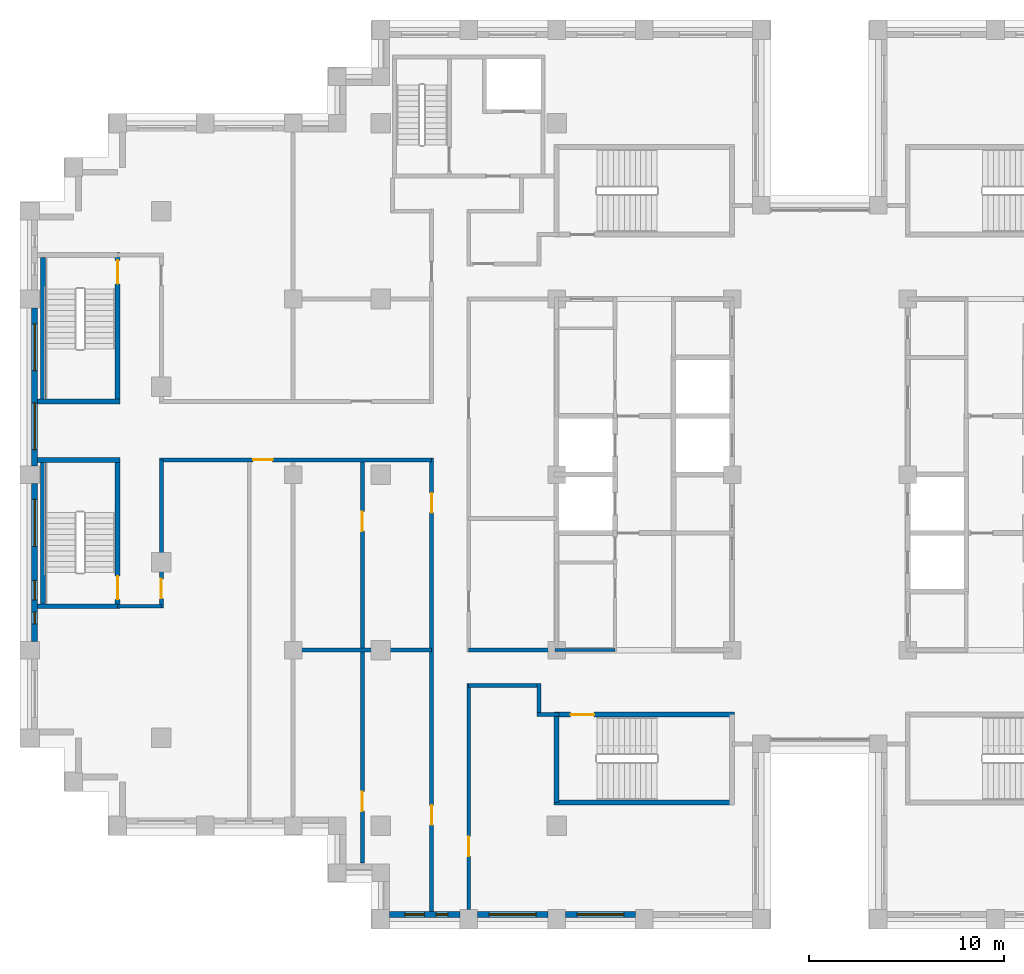
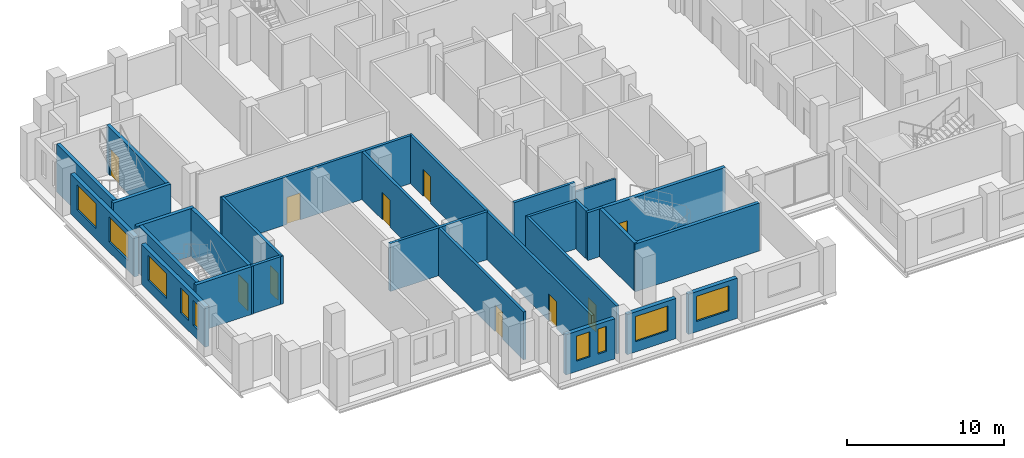
# One storey, part 6 of 15: 27 walls, 10 doors, 9 windows, 19 openings.
"""IFC4 building model written with IfcOpenShell, lengths in metres."""

import ifcopenshell
import ifcopenshell.guid

model = None  # the IFC model being written
_history = None  # IfcOwnerHistory: only IFC2X3 demands one
_inside = {}  # id of a spatial element -> (the spatial element, [elements in it])
_under = {}  # id of a project, library or spatial element -> (it, [spatial elements below it])
_declared = {}  # id of a project -> (the project, [libraries it declares])
_typed = {}  # id of a type object -> (the type object, [elements of that type])
_made_of = {}  # id of a material, layer set ... -> (it, [elements and type objects made of it])


def new_model(schema):
    """Start an empty IFC model of exactly this schema.

    Asked for "IFC4X3", IfcOpenShell would pick the latest addendum, in which some entities
    have other attributes; the version numbers below select the first issue.
    IFC2X3 requires an IfcOwnerHistory on every rooted entity: one is made here for all.
    """
    global model, _history
    if schema == "IFC4X3":
        model = ifcopenshell.file(schema_version=(4, 3, 0, 0))
    else:
        model = ifcopenshell.file(schema=schema)
    _inside.clear()
    _under.clear()
    _declared.clear()
    _typed.clear()
    _made_of.clear()
    _history = None
    if model.schema == "IFC2X3":
        org = make("IfcOrganization", Name="unknown")
        user = make(
            "IfcPersonAndOrganization",
            ThePerson=make("IfcPerson", FamilyName="unknown"),
            TheOrganization=org,
        )
        app = make(
            "IfcApplication",
            ApplicationDeveloper=org,
            Version="unknown",
            ApplicationFullName="unknown",
            ApplicationIdentifier="unknown",
        )
        _history = make(
            "IfcOwnerHistory",
            OwningUser=user,
            OwningApplication=app,
            ChangeAction="ADDED",
            CreationDate=0,
        )
    return model


def make(cls, **values):
    """One entity of the class cls with the attributes given. An attribute that is None is left unset."""
    return model.create_entity(
        cls, **{name: value for name, value in values.items() if value is not None}
    )


def rooted(cls, **values):
    """An entity with a GlobalId (a new one), such as an element, a storey or a relation."""
    return make(cls, GlobalId=ifcopenshell.guid.new(), OwnerHistory=_history, **values)


def si_unit(unit_type, name, prefix=None):
    """IfcSIUnit, for example si_unit("LENGTHUNIT", "METRE", prefix="MILLI")."""
    return make("IfcSIUnit", UnitType=unit_type, Prefix=prefix, Name=name)


def assignment(units):
    """IfcUnitAssignment: the units of a project."""
    return None if units is None else make("IfcUnitAssignment", Units=units)


def point(xyz):
    """IfcCartesianPoint."""
    return None if xyz is None else make("IfcCartesianPoint", Coordinates=xyz)


def direction(xyz):
    """IfcDirection."""
    return None if xyz is None else make("IfcDirection", DirectionRatios=xyz)


def frame(location, z_axis=None, x_axis=None):
    """IfcAxis2Placement3D, a coordinate frame: its origin and axes. An axis left out is left unset."""
    return make(
        "IfcAxis2Placement3D",
        Location=point(location),
        Axis=direction(z_axis),
        RefDirection=direction(x_axis),
    )


def frame_2d(location, x_axis=None):
    """IfcAxis2Placement2D, a coordinate frame in the plane: its origin and x axis."""
    return make(
        "IfcAxis2Placement2D", Location=point(location), RefDirection=direction(x_axis)
    )


def origin():
    """The frame at (0, 0, 0) with its axes left unset."""
    return frame((0.0, 0.0, 0.0))


def place(relative_to, where):
    """IfcLocalPlacement: puts the frame where relative to a parent placement (None: the world)."""
    return make(
        "IfcLocalPlacement", PlacementRelTo=relative_to, RelativePlacement=where
    )


def context(
    kind, dimensions, precision=None, world=None, true_north=None, identifier=None
):
    """IfcGeometricRepresentationContext, for example the 3D "Model" context."""
    return make(
        "IfcGeometricRepresentationContext",
        ContextIdentifier=identifier,
        ContextType=kind,
        CoordinateSpaceDimension=dimensions,
        Precision=precision,
        WorldCoordinateSystem=world,
        TrueNorth=true_north,
    )


def subcontext(parent, identifier, kind, view, scale=None):
    """IfcGeometricRepresentationSubContext, for example "Body" below "Model"."""
    return make(
        "IfcGeometricRepresentationSubContext",
        ContextIdentifier=identifier,
        ContextType=kind,
        ParentContext=parent,
        TargetScale=scale,
        TargetView=view,
    )


def project(units=None, contexts=None):
    """IfcProject with its units and contexts."""
    return rooted(
        "IfcProject",
        Name="project",
        RepresentationContexts=contexts,
        UnitsInContext=assignment(units),
    )


def spatial(cls, under=None, at=None, **own):
    """A site, building, storey or space (cls), placed at a placement, below another one or the project."""
    s = rooted(cls, ObjectPlacement=at, **own)
    if under is not None:
        _under.setdefault(under.id(), (under, []))[1].append(s)
    return s


def profile(cls, at=None, kind="AREA", **sizes):
    """A parametric profile (cls). Its sizes go by their IFC names, for example OverallWidth=200.0."""
    return make(cls, ProfileType=kind, Position=at, **sizes)


def rectangle(**sizes):
    """IfcRectangleProfileDef."""
    return profile("IfcRectangleProfileDef", **sizes)


def extrude(swept, where, along, depth):
    """IfcExtrudedAreaSolid: the profile swept, set in the frame where, extruded along a direction by depth."""
    return make(
        "IfcExtrudedAreaSolid",
        SweptArea=swept,
        Position=where,
        ExtrudedDirection=direction(along),
        Depth=depth,
    )


def shape(context_of_items, identifier, shape_type, items):
    """IfcShapeRepresentation: the items that make up one representation, for example the "Body"."""
    return make(
        "IfcShapeRepresentation",
        ContextOfItems=context_of_items,
        RepresentationIdentifier=identifier,
        RepresentationType=shape_type,
        Items=items,
    )


def material(Name=None, Category=None):
    """IfcMaterial."""
    return make("IfcMaterial", Name=Name, Category=Category)


def layer(
    of_material, thickness, ventilated=None, Name=None, Category=None, Priority=None
):
    """IfcMaterialLayer: one layer of a wall or slab, of a material (None: an air gap)."""
    return make(
        "IfcMaterialLayer",
        Material=of_material,
        LayerThickness=thickness,
        IsVentilated=ventilated,
        Name=Name,
        Category=Category,
        Priority=Priority,
    )


def layer_set(layers, Name=None):
    """IfcMaterialLayerSet."""
    return make("IfcMaterialLayerSet", MaterialLayers=layers, LayerSetName=Name)


def made_of(thing, what):
    """Note that an element or type object is made of a material, layer set ...; save() writes the relation."""
    if what is not None:
        _made_of.setdefault(what.id(), (what, []))[1].append(thing)
    return thing


def type_object(cls, material=None, **own):
    """A type object (cls), such as IfcWallType, which elements share."""
    return made_of(rooted(cls, **own), material)


def element(
    cls,
    number,
    at=None,
    inside=None,
    cuts=None,
    type_object=None,
    material=None,
    context=None,
    identifier="Body",
    shape_type=None,
    held_by="IfcProductDefinitionShape",
    body=None,
    shapes=None,
    **own,
):
    """One element of the class cls, such as IfcWall. Its Tag is "e" and its number.

    at: its placement. inside: the storey or other place that contains it. cuts: it is an
    opening in that element (IfcRelVoidsElement). A single representation is given by context,
    identifier, shape_type and body (its items); several are given by shapes. held_by: the class
    of the entity that holds the representations. save() writes the other relations.
    """
    e = rooted(cls, Tag="e%d" % number, ObjectPlacement=at, **own)
    if body is not None:
        shapes = [shape(context, identifier, shape_type, body)]
    if shapes is not None:
        e.Representation = make(held_by, Representations=shapes)
    if inside is not None:
        _inside.setdefault(inside.id(), (inside, []))[1].append(e)
    if cuts is not None:
        rooted(
            "IfcRelVoidsElement", RelatingBuildingElement=cuts, RelatedOpeningElement=e
        )
    if type_object is not None:
        _typed.setdefault(type_object.id(), (type_object, []))[1].append(e)
    return made_of(e, material)


def fill(opening, filler):
    """IfcRelFillsElement: the door or window that sits in an opening."""
    return rooted(
        "IfcRelFillsElement",
        RelatingOpeningElement=opening,
        RelatedBuildingElement=filler,
    )


def aggregate(whole, parts):
    """IfcRelAggregates: a whole, such as a stair, and the parts it consists of."""
    return rooted("IfcRelAggregates", RelatingObject=whole, RelatedObjects=parts)


def save(model, path):
    """Write the relations noted so far, then the file.

    IfcRelAggregates (storeys below a building ...), IfcRelContainedInSpatialStructure (elements
    in a storey), IfcRelDefinesByType, IfcRelAssociatesMaterial and IfcRelDeclares: one each for
    every whole, place, type object, material and project.
    """
    for whole, parts in _under.values():
        aggregate(whole, parts)
    for where, things in _inside.values():
        rooted(
            "IfcRelContainedInSpatialStructure",
            RelatedElements=things,
            RelatingStructure=where,
        )
    for kind, things in _typed.values():
        rooted("IfcRelDefinesByType", RelatedObjects=things, RelatingType=kind)
    for what, things in _made_of.values():
        rooted("IfcRelAssociatesMaterial", RelatedObjects=things, RelatingMaterial=what)
    for by, libraries in _declared.values():
        rooted("IfcRelDeclares", RelatingContext=by, RelatedDefinitions=libraries)
    model.write(path)


model = new_model("IFC4")

# Units and contexts
model_context = context("Model", 3, precision=1e-05, world=origin(), true_north=direction((0.0, 1.0)))
body_context = subcontext(model_context, "Body", "Model", "MODEL_VIEW")
ifc_project = project(units=[si_unit("LENGTHUNIT", "METRE"), si_unit("AREAUNIT", "SQUARE_METRE"), si_unit("VOLUMEUNIT", "CUBIC_METRE"), si_unit("PLANEANGLEUNIT", "RADIAN"), si_unit("MASSUNIT", "GRAM", prefix="KILO")], contexts=[model_context])

# Site, building, storey
site_placement = place(None, origin())
site = spatial("IfcSite", under=ifc_project, at=site_placement, CompositionType="ELEMENT")
building_placement = place(site_placement, origin())
building = spatial("IfcBuilding", under=site, at=building_placement, Name="Corbelhall Arena Tower", CompositionType="ELEMENT")
storey_placement = place(building_placement, frame((0.0, 0.0, 224.0)))
storey = spatial("IfcBuildingStorey", under=building, at=storey_placement, Name="L47", CompositionType="ELEMENT", Elevation=224.0)

# Wall, openings, windows
ifc_material_1 = material(Name="Precast concrete C40/50 with granite facing", Category="masonry")
ifc_layer_1 = layer(ifc_material_1, 0.300048828125)
ifc_layer_set_1 = layer_set([ifc_layer_1], Name="EV-IW1 Infill panel 300")
wall_type_1 = type_object("IfcWallType", Name="EV-IW1 Infill panel 300", PredefinedType="SOLIDWALL", material=ifc_layer_set_1)
wall_1_placement = place(storey_placement, frame((-40.25, 8.550048828125, 0.0), z_axis=(0.0, 0.0, 1.0), x_axis=(0.0, -1.0, 0.0)))
wall_1 = element("IfcWall", 1, at=wall_1_placement, inside=storey, type_object=wall_type_1, Name="Infill panel IW1", PredefinedType="SOLIDWALL", context=body_context, shape_type="SweptSolid", body=[
    extrude(rectangle(XDim=8.10009765625, YDim=0.300048828125, at=frame_2d((4.050048828125, 0.0))), origin(), (0.0, 0.0, 1.0), 3.1201171875),
])
opening_1_placement = place(wall_1_placement, frame((0.824951171875, 0.0, 0.800048828125)))
opening_1 = element("IfcOpeningElement", 2, at=opening_1_placement, cuts=wall_1, Name="Opening WN1", PredefinedType="OPENING", context=body_context, shape_type="SweptSolid", body=[
    extrude(rectangle(XDim=2.39990234375, YDim=1.949951171875, at=frame_2d((1.199951171875, 0.97509765625))), frame((0.0, 0.14990234375, 0.0), z_axis=(0.0, -1.0, 0.0), x_axis=(1.0, 0.0, 0.0)), (0.0, 0.0, 1.0), 0.300048828125),
])
opening_2_placement = place(wall_1_placement, frame((4.875, 0.0, 0.800048828125)))
opening_2 = element("IfcOpeningElement", 3, at=opening_2_placement, cuts=wall_1, Name="Opening WN1", PredefinedType="OPENING", context=body_context, shape_type="SweptSolid", body=[
    extrude(rectangle(XDim=2.39990234375, YDim=1.949951171875, at=frame_2d((1.199951171875, 0.97509765625))), frame((0.0, 0.14990234375, 0.0), z_axis=(0.0, -1.0, 0.0), x_axis=(1.0, 0.0, 0.0)), (0.0, 0.0, 1.0), 0.300048828125),
])
ifc_material_2 = material(Name="Aluminium black anodised", Category="aluminium")
window_type_1 = type_object("IfcWindowType", Name="EV-WN1 Office window", PartitioningType="SINGLE_PANEL", PredefinedType="WINDOW", material=ifc_material_2)
window_1_placement = place(opening_1_placement, origin())
window_1 = element("IfcWindow", 4, at=window_1_placement, inside=storey, type_object=window_type_1, Name="Window WN1", OverallHeight=1.949951171875, OverallWidth=2.39990234375, PartitioningType="SINGLE_PANEL", PredefinedType="WINDOW", context=body_context, shape_type="SweptSolid", body=[
    extrude(rectangle(XDim=2.39990234375, YDim=1.949951171875, at=frame_2d((1.199951171875, 0.97509765625))), frame((0.0, 0.030029296875, 0.0), z_axis=(0.0, -1.0, 0.0), x_axis=(1.0, 0.0, 0.0)), (0.0, 0.0, 1.0), 0.06005859375),
])
fill(opening_1, window_1)
window_2_placement = place(opening_2_placement, origin())
window_2 = element("IfcWindow", 5, at=window_2_placement, inside=storey, type_object=window_type_1, Name="Window WN1", OverallHeight=1.949951171875, OverallWidth=2.39990234375, PartitioningType="SINGLE_PANEL", PredefinedType="WINDOW", context=body_context, shape_type="SweptSolid", body=[
    extrude(rectangle(XDim=2.39990234375, YDim=1.949951171875, at=frame_2d((1.199951171875, 0.97509765625))), frame((0.0, 0.030029296875, 0.0), z_axis=(0.0, -1.0, 0.0), x_axis=(1.0, 0.0, 0.0)), (0.0, 0.0, 1.0), 0.06005859375),
])
fill(opening_2, window_2)

wall_2_placement = place(storey_placement, frame((-40.25, -0.449951171875, 0.0), z_axis=(0.0, 0.0, 1.0), x_axis=(0.0, -1.0, 0.0)))
wall_2 = element("IfcWall", 6, at=wall_2_placement, inside=storey, type_object=wall_type_1, Name="Infill panel IW1", PredefinedType="SOLIDWALL", context=body_context, shape_type="SweptSolid", body=[
    extrude(rectangle(XDim=8.10009765625, YDim=0.300048828125, at=frame_2d((4.050048828125, 0.0))), origin(), (0.0, 0.0, 1.0), 3.1201171875),
])
opening_3_placement = place(wall_2_placement, frame((0.824951171875, 0.0, 0.800048828125)))
opening_3 = element("IfcOpeningElement", 7, at=opening_3_placement, cuts=wall_2, Name="Opening WN1", PredefinedType="OPENING", context=body_context, shape_type="SweptSolid", body=[
    extrude(rectangle(XDim=2.39990234375, YDim=1.949951171875, at=frame_2d((1.199951171875, 0.97509765625))), frame((0.0, 0.14990234375, 0.0), z_axis=(0.0, -1.0, 0.0), x_axis=(1.0, 0.0, 0.0)), (0.0, 0.0, 1.0), 0.300048828125),
])
opening_4_placement = place(wall_2_placement, frame((4.97509765625, 0.0, 0.800048828125)))
opening_4 = element("IfcOpeningElement", 8, at=opening_4_placement, cuts=wall_2, Name="Opening WN6", PredefinedType="OPENING", context=body_context, shape_type="SweptSolid", body=[
    extrude(rectangle(XDim=1.0, YDim=1.949951171875, at=frame_2d((0.5, 0.97509765625))), frame((0.0, 0.14990234375, 0.0), z_axis=(0.0, -1.0, 0.0), x_axis=(1.0, 0.0, 0.0)), (0.0, 0.0, 1.0), 0.300048828125),
])
opening_5_placement = place(wall_2_placement, frame((6.60009765625, 0.0, 0.800048828125)))
opening_5 = element("IfcOpeningElement", 9, at=opening_5_placement, cuts=wall_2, Name="Opening WN5", PredefinedType="OPENING", context=body_context, shape_type="SweptSolid", body=[
    extrude(rectangle(XDim=0.60009765625, YDim=1.949951171875, at=frame_2d((0.300048828125, 0.97509765625))), frame((0.0, 0.14990234375, 0.0), z_axis=(0.0, -1.0, 0.0), x_axis=(1.0, 0.0, 0.0)), (0.0, 0.0, 1.0), 0.300048828125),
])
window_3_placement = place(opening_3_placement, origin())
window_3 = element("IfcWindow", 10, at=window_3_placement, inside=storey, type_object=window_type_1, Name="Window WN1", OverallHeight=1.949951171875, OverallWidth=2.39990234375, PartitioningType="SINGLE_PANEL", PredefinedType="WINDOW", context=body_context, shape_type="SweptSolid", body=[
    extrude(rectangle(XDim=2.39990234375, YDim=1.949951171875, at=frame_2d((1.199951171875, 0.97509765625))), frame((0.0, 0.030029296875, 0.0), z_axis=(0.0, -1.0, 0.0), x_axis=(1.0, 0.0, 0.0)), (0.0, 0.0, 1.0), 0.06005859375),
])
fill(opening_3, window_3)
window_type_2 = type_object("IfcWindowType", Name="EV-WN5 Office window 600", PartitioningType="SINGLE_PANEL", PredefinedType="WINDOW", material=ifc_material_2)
window_4_placement = place(opening_5_placement, origin())
window_4 = element("IfcWindow", 11, at=window_4_placement, inside=storey, type_object=window_type_2, Name="Window WN5", OverallHeight=1.949951171875, OverallWidth=0.60009765625, PartitioningType="SINGLE_PANEL", PredefinedType="WINDOW", context=body_context, shape_type="SweptSolid", body=[
    extrude(rectangle(XDim=0.60009765625, YDim=1.949951171875, at=frame_2d((0.300048828125, 0.97509765625))), frame((0.0, 0.030029296875, 0.0), z_axis=(0.0, -1.0, 0.0), x_axis=(1.0, 0.0, 0.0)), (0.0, 0.0, 1.0), 0.06005859375),
])
fill(opening_5, window_4)
window_type_3 = type_object("IfcWindowType", Name="EV-WN6 Office window 1000", PartitioningType="SINGLE_PANEL", PredefinedType="WINDOW", material=ifc_material_2)
window_5_placement = place(opening_4_placement, origin())
window_5 = element("IfcWindow", 12, at=window_5_placement, inside=storey, type_object=window_type_3, Name="Window WN6", OverallHeight=1.949951171875, OverallWidth=1.0, PartitioningType="SINGLE_PANEL", PredefinedType="WINDOW", context=body_context, shape_type="SweptSolid", body=[
    extrude(rectangle(XDim=1.0, YDim=1.949951171875, at=frame_2d((0.5, 0.97509765625))), frame((0.0, 0.030029296875, 0.0), z_axis=(0.0, -1.0, 0.0), x_axis=(1.0, 0.0, 0.0)), (0.0, 0.0, 1.0), 0.06005859375),
])
fill(opening_4, window_5)

wall_3_placement = place(storey_placement, frame((-22.050048828125, -22.550048828125, 0.0), z_axis=(0.0, 0.0, 1.0), x_axis=(1.0, 0.0, 0.0)))
wall_3 = element("IfcWall", 13, at=wall_3_placement, inside=storey, type_object=wall_type_1, Name="Infill panel IW1", PredefinedType="SOLIDWALL", context=body_context, shape_type="SweptSolid", body=[
    extrude(rectangle(XDim=3.60009765625, YDim=0.300048828125, at=frame_2d((1.800048828125, 0.0))), origin(), (0.0, 0.0, 1.0), 3.1201171875),
])
opening_6_placement = place(wall_3_placement, frame((0.77490234375, 0.0, 0.800048828125)))
opening_6 = element("IfcOpeningElement", 14, at=opening_6_placement, cuts=wall_3, Name="Opening WN6", PredefinedType="OPENING", context=body_context, shape_type="SweptSolid", body=[
    extrude(rectangle(XDim=1.0, YDim=1.949951171875, at=frame_2d((0.5, 0.97509765625))), frame((0.0, 0.14990234375, 0.0), z_axis=(0.0, -1.0, 0.0), x_axis=(1.0, 0.0, 0.0)), (0.0, 0.0, 1.0), 0.300048828125),
])
opening_7_placement = place(wall_3_placement, frame((2.375, 0.0, 0.800048828125)))
opening_7 = element("IfcOpeningElement", 15, at=opening_7_placement, cuts=wall_3, Name="Opening WN5", PredefinedType="OPENING", context=body_context, shape_type="SweptSolid", body=[
    extrude(rectangle(XDim=0.60009765625, YDim=1.949951171875, at=frame_2d((0.300048828125, 0.97509765625))), frame((0.0, 0.14990234375, 0.0), z_axis=(0.0, -1.0, 0.0), x_axis=(1.0, 0.0, 0.0)), (0.0, 0.0, 1.0), 0.300048828125),
])
window_6_placement = place(opening_7_placement, origin())
window_6 = element("IfcWindow", 16, at=window_6_placement, inside=storey, type_object=window_type_2, Name="Window WN5", OverallHeight=1.949951171875, OverallWidth=0.60009765625, PartitioningType="SINGLE_PANEL", PredefinedType="WINDOW", context=body_context, shape_type="SweptSolid", body=[
    extrude(rectangle(XDim=0.60009765625, YDim=1.949951171875, at=frame_2d((0.300048828125, 0.97509765625))), frame((0.0, 0.030029296875, 0.0), z_axis=(0.0, -1.0, 0.0), x_axis=(1.0, 0.0, 0.0)), (0.0, 0.0, 1.0), 0.06005859375),
])
fill(opening_7, window_6)
window_7_placement = place(opening_6_placement, origin())
window_7 = element("IfcWindow", 17, at=window_7_placement, inside=storey, type_object=window_type_3, Name="Window WN6", OverallHeight=1.949951171875, OverallWidth=1.0, PartitioningType="SINGLE_PANEL", PredefinedType="WINDOW", context=body_context, shape_type="SweptSolid", body=[
    extrude(rectangle(XDim=1.0, YDim=1.949951171875, at=frame_2d((0.5, 0.97509765625))), frame((0.0, 0.030029296875, 0.0), z_axis=(0.0, -1.0, 0.0), x_axis=(1.0, 0.0, 0.0)), (0.0, 0.0, 1.0), 0.06005859375),
])
fill(opening_6, window_7)

# Wall, opening, window
wall_4_placement = place(storey_placement, frame((-17.550048828125, -22.550048828125, 0.0), z_axis=(0.0, 0.0, 1.0), x_axis=(1.0, 0.0, 0.0)))
wall_4 = element("IfcWall", 18, at=wall_4_placement, inside=storey, type_object=wall_type_1, Name="Infill panel IW1", PredefinedType="SOLIDWALL", context=body_context, shape_type="SweptSolid", body=[
    extrude(rectangle(XDim=3.60009765625, YDim=0.300048828125, at=frame_2d((1.800048828125, 0.0))), origin(), (0.0, 0.0, 1.0), 3.1201171875),
])
opening_8_placement = place(wall_4_placement, frame((0.60009765625, 0.0, 0.800048828125)))
opening_8 = element("IfcOpeningElement", 19, at=opening_8_placement, cuts=wall_4, Name="Opening WN1", PredefinedType="OPENING", context=body_context, shape_type="SweptSolid", body=[
    extrude(rectangle(XDim=2.39990234375, YDim=1.949951171875, at=frame_2d((1.199951171875, 0.97509765625))), frame((0.0, 0.14990234375, 0.0), z_axis=(0.0, -1.0, 0.0), x_axis=(1.0, 0.0, 0.0)), (0.0, 0.0, 1.0), 0.300048828125),
])
window_8_placement = place(opening_8_placement, origin())
window_8 = element("IfcWindow", 20, at=window_8_placement, inside=storey, type_object=window_type_1, Name="Window WN1", OverallHeight=1.949951171875, OverallWidth=2.39990234375, PartitioningType="SINGLE_PANEL", PredefinedType="WINDOW", context=body_context, shape_type="SweptSolid", body=[
    extrude(rectangle(XDim=2.39990234375, YDim=1.949951171875, at=frame_2d((1.199951171875, 0.97509765625))), frame((0.0, 0.030029296875, 0.0), z_axis=(0.0, -1.0, 0.0), x_axis=(1.0, 0.0, 0.0)), (0.0, 0.0, 1.0), 0.06005859375),
])
fill(opening_8, window_8)

wall_5_placement = place(storey_placement, frame((-13.050048828125, -22.550048828125, 0.0), z_axis=(0.0, 0.0, 1.0), x_axis=(1.0, 0.0, 0.0)))
wall_5 = element("IfcWall", 21, at=wall_5_placement, inside=storey, type_object=wall_type_1, Name="Infill panel IW1", PredefinedType="SOLIDWALL", context=body_context, shape_type="SweptSolid", body=[
    extrude(rectangle(XDim=3.60009765625, YDim=0.300048828125, at=frame_2d((1.800048828125, 0.0))), origin(), (0.0, 0.0, 1.0), 3.1201171875),
])
opening_9_placement = place(wall_5_placement, frame((0.60009765625, 0.0, 0.800048828125)))
opening_9 = element("IfcOpeningElement", 22, at=opening_9_placement, cuts=wall_5, Name="Opening WN1", PredefinedType="OPENING", context=body_context, shape_type="SweptSolid", body=[
    extrude(rectangle(XDim=2.39990234375, YDim=1.949951171875, at=frame_2d((1.199951171875, 0.97509765625))), frame((0.0, 0.14990234375, 0.0), z_axis=(0.0, -1.0, 0.0), x_axis=(1.0, 0.0, 0.0)), (0.0, 0.0, 1.0), 0.300048828125),
])
window_9_placement = place(opening_9_placement, origin())
window_9 = element("IfcWindow", 23, at=window_9_placement, inside=storey, type_object=window_type_1, Name="Window WN1", OverallHeight=1.949951171875, OverallWidth=2.39990234375, PartitioningType="SINGLE_PANEL", PredefinedType="WINDOW", context=body_context, shape_type="SweptSolid", body=[
    extrude(rectangle(XDim=2.39990234375, YDim=1.949951171875, at=frame_2d((1.199951171875, 0.97509765625))), frame((0.0, 0.030029296875, 0.0), z_axis=(0.0, -1.0, 0.0), x_axis=(1.0, 0.0, 0.0)), (0.0, 0.0, 1.0), 0.06005859375),
])
fill(opening_9, window_9)

# Wall
ifc_material_3 = material(Name="Gypsum board on steel stud, acoustic", Category="steel")
ifc_layer_2 = layer(ifc_material_3, 0.199951171875)
ifc_layer_set_2 = layer_set([ifc_layer_2], Name="IN-W-DM200")
wall_type_2 = type_object("IfcWallType", Name="IN-W-DM200", PredefinedType="PARTITIONING", material=ifc_layer_set_2)
wall_6_placement = place(storey_placement, frame((-33.75, -6.75, 0.0), z_axis=(0.0, 0.0, 1.0), x_axis=(-1.0, 0.0, 0.0)))
element("IfcWall", 24, at=wall_6_placement, inside=storey, type_object=wall_type_2, Name="Partition 003", PredefinedType="PARTITIONING", context=body_context, shape_type="SweptSolid", body=[
    extrude(rectangle(XDim=2.25, YDim=0.199951171875, at=frame_2d((1.125, 0.0))), origin(), (0.0, 0.0, 1.0), 3.719970703125),
])

# Wall, opening, door
wall_7_placement = place(storey_placement, frame((-33.75, 0.75, 0.0), z_axis=(0.0, 0.0, 1.0), x_axis=(0.0, -1.0, 0.0)))
wall_7 = element("IfcWall", 25, at=wall_7_placement, inside=storey, type_object=wall_type_2, Name="Partition 004", PredefinedType="PARTITIONING", context=body_context, shape_type="SweptSolid", body=[
    extrude(rectangle(XDim=7.60009765625, YDim=0.199951171875, at=frame_2d((3.800048828125, 0.0))), origin(), (0.0, 0.0, 1.0), 3.719970703125),
])
opening_10_placement = place(wall_7_placement, frame((6.10009765625, 0.0, 0.0)))
opening_10 = element("IfcOpeningElement", 26, at=opening_10_placement, cuts=wall_7, Name="Opening 14043", PredefinedType="OPENING", context=body_context, shape_type="SweptSolid", body=[
    extrude(rectangle(XDim=1.0, YDim=2.10009765625, at=frame_2d((0.5, 1.050048828125))), frame((0.0, 0.10009765625, 0.0), z_axis=(0.0, -1.0, 0.0), x_axis=(1.0, 0.0, 0.0)), (0.0, 0.0, 1.0), 0.199951171875),
])
ifc_material_4 = material(Name="Steel door set", Category="steel")
door_type_1 = type_object("IfcDoorType", Name="IN-D-SW100", OperationType="NOTDEFINED", PredefinedType="DOOR", material=ifc_material_4)
door_1_placement = place(opening_10_placement, origin())
door_1 = element("IfcDoor", 27, at=door_1_placement, inside=storey, type_object=door_type_1, Name="Door 043", OperationType="SINGLE_SWING_RIGHT", OverallHeight=2.10009765625, OverallWidth=1.0, PredefinedType="DOOR", context=body_context, shape_type="SweptSolid", body=[
    extrude(rectangle(XDim=1.0, YDim=2.10009765625, at=frame_2d((0.5, 1.050048828125))), frame((0.0, 0.02490234375, 0.0), z_axis=(0.0, -1.0, 0.0), x_axis=(1.0, 0.0, 0.0)), (0.0, 0.0, 1.0), 0.050048828125),
])
fill(opening_10, door_1)

wall_8_placement = place(storey_placement, frame((-19.89990234375, 0.75, 0.0), z_axis=(0.0, 0.0, 1.0), x_axis=(-1.0, 0.0, 0.0)))
wall_8 = element("IfcWall", 28, at=wall_8_placement, inside=storey, type_object=wall_type_2, Name="Partition 007", PredefinedType="PARTITIONING", context=body_context, shape_type="SweptSolid", body=[
    extrude(rectangle(XDim=13.9501953125, YDim=0.199951171875, at=frame_2d((6.97509765625, 0.0))), origin(), (0.0, 0.0, 1.0), 3.719970703125),
])
opening_11_placement = place(wall_8_placement, frame((8.14990234375, 0.0, 0.0)))
opening_11 = element("IfcOpeningElement", 29, at=opening_11_placement, cuts=wall_8, Name="Opening 14044", PredefinedType="OPENING", context=body_context, shape_type="SweptSolid", body=[
    extrude(rectangle(XDim=1.0, YDim=2.10009765625, at=frame_2d((0.5, 1.050048828125))), frame((0.0, 0.10009765625, 0.0), z_axis=(0.0, -1.0, 0.0), x_axis=(1.0, 0.0, 0.0)), (0.0, 0.0, 1.0), 0.199951171875),
])
door_2_placement = place(opening_11_placement, origin())
door_2 = element("IfcDoor", 30, at=door_2_placement, inside=storey, type_object=door_type_1, Name="Door 044", OperationType="SINGLE_SWING_LEFT", OverallHeight=2.10009765625, OverallWidth=1.0, PredefinedType="DOOR", context=body_context, shape_type="SweptSolid", body=[
    extrude(rectangle(XDim=1.0, YDim=2.10009765625, at=frame_2d((0.5, 1.050048828125))), frame((0.0, 0.02490234375, 0.0), z_axis=(0.0, -1.0, 0.0), x_axis=(1.0, 0.0, 0.0)), (0.0, 0.0, 1.0), 0.050048828125),
])
fill(opening_11, door_2)

# Wall
wall_9_placement = place(storey_placement, frame((-27.10009765625, -9.0, 0.0), z_axis=(0.0, 0.0, 1.0), x_axis=(1.0, 0.0, 0.0)))
element("IfcWall", 31, at=wall_9_placement, inside=storey, type_object=wall_type_2, Name="Partition 008", PredefinedType="PARTITIONING", context=body_context, shape_type="SweptSolid", body=[
    extrude(rectangle(XDim=7.2001953125, YDim=0.199951171875, at=frame_2d((3.60009765625, 0.0))), origin(), (0.0, 0.0, 1.0), 3.719970703125),
])

# Wall, openings, doors
wall_10_placement = place(storey_placement, frame((-23.449951171875, -19.89990234375, 0.0), z_axis=(0.0, 0.0, 1.0), x_axis=(0.0, 1.0, 0.0)))
wall_10 = element("IfcWall", 32, at=wall_10_placement, inside=storey, type_object=wall_type_2, Name="Partition 012", PredefinedType="PARTITIONING", context=body_context, shape_type="SweptSolid", body=[
    extrude(rectangle(XDim=20.64990234375, YDim=0.199951171875, at=frame_2d((10.324951171875, 0.0))), origin(), (0.0, 0.0, 1.0), 3.719970703125),
])
opening_12_placement = place(wall_10_placement, frame((2.64990234375, 0.0, 0.0)))
opening_12 = element("IfcOpeningElement", 33, at=opening_12_placement, cuts=wall_10, Name="Opening 14035", PredefinedType="OPENING", context=body_context, shape_type="SweptSolid", body=[
    extrude(rectangle(XDim=1.0, YDim=2.10009765625, at=frame_2d((0.5, 1.050048828125))), frame((0.0, 0.10009765625, 0.0), z_axis=(0.0, -1.0, 0.0), x_axis=(1.0, 0.0, 0.0)), (0.0, 0.0, 1.0), 0.199951171875),
])
opening_13_placement = place(wall_10_placement, frame((17.0, 0.0, 0.0)))
opening_13 = element("IfcOpeningElement", 34, at=opening_13_placement, cuts=wall_10, Name="Opening 14037", PredefinedType="OPENING", context=body_context, shape_type="SweptSolid", body=[
    extrude(rectangle(XDim=1.0, YDim=2.10009765625, at=frame_2d((0.5, 1.050048828125))), frame((0.0, 0.10009765625, 0.0), z_axis=(0.0, -1.0, 0.0), x_axis=(1.0, 0.0, 0.0)), (0.0, 0.0, 1.0), 0.199951171875),
])
door_3_placement = place(opening_12_placement, origin())
door_3 = element("IfcDoor", 35, at=door_3_placement, inside=storey, type_object=door_type_1, Name="Door 035", OperationType="SINGLE_SWING_RIGHT", OverallHeight=2.10009765625, OverallWidth=1.0, PredefinedType="DOOR", context=body_context, shape_type="SweptSolid", body=[
    extrude(rectangle(XDim=1.0, YDim=2.10009765625, at=frame_2d((0.5, 1.050048828125))), frame((0.0, 0.02490234375, 0.0), z_axis=(0.0, -1.0, 0.0), x_axis=(1.0, 0.0, 0.0)), (0.0, 0.0, 1.0), 0.050048828125),
])
fill(opening_12, door_3)
door_4_placement = place(opening_13_placement, origin())
door_4 = element("IfcDoor", 36, at=door_4_placement, inside=storey, type_object=door_type_1, Name="Door 037", OperationType="SINGLE_SWING_RIGHT", OverallHeight=2.10009765625, OverallWidth=1.0, PredefinedType="DOOR", context=body_context, shape_type="SweptSolid", body=[
    extrude(rectangle(XDim=1.0, YDim=2.10009765625, at=frame_2d((0.5, 1.050048828125))), frame((0.0, 0.02490234375, 0.0), z_axis=(0.0, -1.0, 0.0), x_axis=(1.0, 0.0, 0.0)), (0.0, 0.0, 1.0), 0.050048828125),
])
fill(opening_13, door_4)

wall_11_placement = place(storey_placement, frame((-19.89990234375, -22.39990234375, 0.0), z_axis=(0.0, 0.0, 1.0), x_axis=(0.0, 1.0, 0.0)))
wall_11 = element("IfcWall", 37, at=wall_11_placement, inside=storey, type_object=wall_type_2, Name="Partition 014", PredefinedType="PARTITIONING", context=body_context, shape_type="SweptSolid", body=[
    extrude(rectangle(XDim=23.25, YDim=0.199951171875, at=frame_2d((11.625, 0.0))), origin(), (0.0, 0.0, 1.0), 3.719970703125),
])
opening_14_placement = place(wall_11_placement, frame((4.449951171875, 0.0, 0.0)))
opening_14 = element("IfcOpeningElement", 38, at=opening_14_placement, cuts=wall_11, Name="Opening 14034", PredefinedType="OPENING", context=body_context, shape_type="SweptSolid", body=[
    extrude(rectangle(XDim=1.0, YDim=2.10009765625, at=frame_2d((0.5, 1.050048828125))), frame((0.0, 0.10009765625, 0.0), z_axis=(0.0, -1.0, 0.0), x_axis=(1.0, 0.0, 0.0)), (0.0, 0.0, 1.0), 0.199951171875),
])
opening_15_placement = place(wall_11_placement, frame((20.449951171875, 0.0, 0.0)))
opening_15 = element("IfcOpeningElement", 39, at=opening_15_placement, cuts=wall_11, Name="Opening 14036", PredefinedType="OPENING", context=body_context, shape_type="SweptSolid", body=[
    extrude(rectangle(XDim=1.0, YDim=2.10009765625, at=frame_2d((0.5, 1.050048828125))), frame((0.0, 0.10009765625, 0.0), z_axis=(0.0, -1.0, 0.0), x_axis=(1.0, 0.0, 0.0)), (0.0, 0.0, 1.0), 0.199951171875),
])
door_5_placement = place(opening_14_placement, origin())
door_5 = element("IfcDoor", 40, at=door_5_placement, inside=storey, type_object=door_type_1, Name="Door 034", OperationType="SINGLE_SWING_LEFT", OverallHeight=2.10009765625, OverallWidth=1.0, PredefinedType="DOOR", context=body_context, shape_type="SweptSolid", body=[
    extrude(rectangle(XDim=1.0, YDim=2.10009765625, at=frame_2d((0.5, 1.050048828125))), frame((0.0, 0.02490234375, 0.0), z_axis=(0.0, -1.0, 0.0), x_axis=(1.0, 0.0, 0.0)), (0.0, 0.0, 1.0), 0.050048828125),
])
fill(opening_14, door_5)
door_6_placement = place(opening_15_placement, origin())
door_6 = element("IfcDoor", 41, at=door_6_placement, inside=storey, type_object=door_type_1, Name="Door 036", OperationType="SINGLE_SWING_LEFT", OverallHeight=2.10009765625, OverallWidth=1.0, PredefinedType="DOOR", context=body_context, shape_type="SweptSolid", body=[
    extrude(rectangle(XDim=1.0, YDim=2.10009765625, at=frame_2d((0.5, 1.050048828125))), frame((0.0, 0.02490234375, 0.0), z_axis=(0.0, -1.0, 0.0), x_axis=(1.0, 0.0, 0.0)), (0.0, 0.0, 1.0), 0.050048828125),
])
fill(opening_15, door_6)

# Wall, opening, door
wall_12_placement = place(storey_placement, frame((-18.0, -10.699951171875, 0.0), z_axis=(0.0, 0.0, 1.0), x_axis=(0.0, -1.0, 0.0)))
wall_12 = element("IfcWall", 42, at=wall_12_placement, inside=storey, type_object=wall_type_2, Name="Partition 017", PredefinedType="PARTITIONING", context=body_context, shape_type="SweptSolid", body=[
    extrude(rectangle(XDim=11.60009765625, YDim=0.199951171875, at=frame_2d((5.800048828125, 0.0))), origin(), (0.0, 0.0, 1.0), 3.719970703125),
])
opening_16_placement = place(wall_12_placement, frame((7.85009765625, 0.0, 0.0)))
opening_16 = element("IfcOpeningElement", 43, at=opening_16_placement, cuts=wall_12, Name="Opening 14030", PredefinedType="OPENING", context=body_context, shape_type="SweptSolid", body=[
    extrude(rectangle(XDim=1.0, YDim=2.10009765625, at=frame_2d((0.5, 1.050048828125))), frame((0.0, 0.10009765625, 0.0), z_axis=(0.0, -1.0, 0.0), x_axis=(1.0, 0.0, 0.0)), (0.0, 0.0, 1.0), 0.199951171875),
])
door_7_placement = place(opening_16_placement, origin())
door_7 = element("IfcDoor", 44, at=door_7_placement, inside=storey, type_object=door_type_1, Name="Door 030", OperationType="SINGLE_SWING_LEFT", OverallHeight=2.10009765625, OverallWidth=1.0, PredefinedType="DOOR", context=body_context, shape_type="SweptSolid", body=[
    extrude(rectangle(XDim=1.0, YDim=2.10009765625, at=frame_2d((0.5, 1.050048828125))), frame((0.0, 0.02490234375, 0.0), z_axis=(0.0, -1.0, 0.0), x_axis=(1.0, 0.0, 0.0)), (0.0, 0.0, 1.0), 0.050048828125),
])
fill(opening_16, door_7)

# Walls
wall_13_placement = place(storey_placement, frame((-18.0, -9.0, 0.0), z_axis=(0.0, 0.0, 1.0), x_axis=(1.0, 0.0, 0.0)))
element("IfcWall", 45, at=wall_13_placement, inside=storey, type_object=wall_type_2, Name="Partition 018", PredefinedType="PARTITIONING", context=body_context, shape_type="SweptSolid", body=[
    extrude(rectangle(XDim=4.5, YDim=0.199951171875, at=frame_2d((2.25, 0.0))), origin(), (0.0, 0.0, 1.0), 3.719970703125),
])
wall_14_placement = place(storey_placement, frame((-14.39990234375, -12.300048828125, 0.0), z_axis=(0.0, 0.0, 1.0), x_axis=(0.0, 1.0, 0.0)))
element("IfcWall", 46, at=wall_14_placement, inside=storey, type_object=wall_type_2, Name="Partition 026", PredefinedType="PARTITIONING", context=body_context, shape_type="SweptSolid", body=[
    extrude(rectangle(XDim=1.60009765625, YDim=0.199951171875, at=frame_2d((0.800048828125, 0.0))), origin(), (0.0, 0.0, 1.0), 3.719970703125),
])
wall_15_placement = place(storey_placement, frame((-14.39990234375, -10.800048828125, 0.0), z_axis=(0.0, 0.0, 1.0), x_axis=(-1.0, 0.0, 0.0)))
element("IfcWall", 47, at=wall_15_placement, inside=storey, type_object=wall_type_2, Name="Partition 027", PredefinedType="PARTITIONING", context=body_context, shape_type="SweptSolid", body=[
    extrude(rectangle(XDim=3.60009765625, YDim=0.199951171875, at=frame_2d((1.800048828125, 0.0))), origin(), (0.0, 0.0, 1.0), 3.719970703125),
])
wall_16_placement = place(storey_placement, frame((-13.375, -12.300048828125, 0.0), z_axis=(0.0, 0.0, 1.0), x_axis=(-1.0, 0.0, 0.0)))
element("IfcWall", 48, at=wall_16_placement, inside=storey, type_object=wall_type_2, Name="Partition 030", PredefinedType="PARTITIONING", context=body_context, shape_type="SweptSolid", body=[
    extrude(rectangle(XDim=1.125, YDim=0.199951171875, at=frame_2d((0.5625, 0.0))), origin(), (0.0, 0.0, 1.0), 3.719970703125),
])
ifc_material_5 = material(Name="Concrete C40/50", Category="concrete")
ifc_layer_3 = layer(ifc_material_5, 0.25)
ifc_layer_set_3 = layer_set([ifc_layer_3], Name="IN-W-ST250")
wall_type_3 = type_object("IfcWallType", Name="IN-W-ST250", PredefinedType="SOLIDWALL", material=ifc_layer_set_3)
wall_17_placement = place(storey_placement, frame((-40.10009765625, 3.75, 0.0), z_axis=(0.0, 0.0, 1.0), x_axis=(1.0, 0.0, 0.0)))
element("IfcWall", 49, at=wall_17_placement, inside=storey, type_object=wall_type_3, Name="Shaft wall 095", PredefinedType="SOLIDWALL", context=body_context, shape_type="SweptSolid", body=[
    extrude(rectangle(XDim=4.22509765625, YDim=0.25, at=frame_2d((2.112548828125, 0.0))), origin(), (0.0, 0.0, 1.0), 3.719970703125),
])
wall_18_placement = place(storey_placement, frame((-36.0, -6.75, 0.0), z_axis=(0.0, 0.0, 1.0), x_axis=(-1.0, 0.0, 0.0)))
element("IfcWall", 50, at=wall_18_placement, inside=storey, type_object=wall_type_3, Name="Shaft wall 097", PredefinedType="SOLIDWALL", context=body_context, shape_type="SweptSolid", body=[
    extrude(rectangle(XDim=4.10009765625, YDim=0.25, at=frame_2d((2.050048828125, 0.0))), origin(), (0.0, 0.0, 1.0), 3.719970703125),
])

# Wall, opening, door
wall_19_placement = place(storey_placement, frame((-36.0, 0.75, 0.0), z_axis=(0.0, 0.0, 1.0), x_axis=(0.0, -1.0, 0.0)))
wall_19 = element("IfcWall", 51, at=wall_19_placement, inside=storey, type_object=wall_type_3, Name="Shaft wall 098", PredefinedType="SOLIDWALL", context=body_context, shape_type="SweptSolid", body=[
    extrude(rectangle(XDim=7.625, YDim=0.25, at=frame_2d((3.8125, 0.0))), origin(), (0.0, 0.0, 1.0), 3.719970703125),
])
opening_17_placement = place(wall_19_placement, frame((5.949951171875, 0.0, 0.0)))
opening_17 = element("IfcOpeningElement", 52, at=opening_17_placement, cuts=wall_19, Name="Opening 14023", PredefinedType="OPENING", context=body_context, shape_type="SweptSolid", body=[
    extrude(rectangle(XDim=1.199951171875, YDim=2.10009765625, at=frame_2d((0.60009765625, 1.050048828125))), frame((0.0, 0.125, 0.0), z_axis=(0.0, -1.0, 0.0), x_axis=(1.0, 0.0, 0.0)), (0.0, 0.0, 1.0), 0.25),
])
door_type_2 = type_object("IfcDoorType", Name="IN-D-ST120", OperationType="NOTDEFINED", PredefinedType="DOOR", material=ifc_material_4)
door_8_placement = place(opening_17_placement, origin())
door_8 = element("IfcDoor", 53, at=door_8_placement, inside=storey, type_object=door_type_2, Name="Door 023", OperationType="SINGLE_SWING_RIGHT", OverallHeight=2.10009765625, OverallWidth=1.199951171875, PredefinedType="DOOR", context=body_context, shape_type="SweptSolid", body=[
    extrude(rectangle(XDim=1.199951171875, YDim=2.10009765625, at=frame_2d((0.60009765625, 1.050048828125))), frame((0.0, 0.02490234375, 0.0), z_axis=(0.0, -1.0, 0.0), x_axis=(1.0, 0.0, 0.0)), (0.0, 0.0, 1.0), 0.050048828125),
])
fill(opening_17, door_8)

wall_20_placement = place(storey_placement, frame((-36.0, 11.375, 0.0), z_axis=(0.0, 0.0, 1.0), x_axis=(0.0, -1.0, 0.0)))
wall_20 = element("IfcWall", 54, at=wall_20_placement, inside=storey, type_object=wall_type_3, Name="Shaft wall 099", PredefinedType="SOLIDWALL", context=body_context, shape_type="SweptSolid", body=[
    extrude(rectangle(XDim=7.625, YDim=0.25, at=frame_2d((3.8125, 0.0))), origin(), (0.0, 0.0, 1.0), 3.719970703125),
])
opening_18_placement = place(wall_20_placement, frame((0.39990234375, 0.0, 0.0)))
opening_18 = element("IfcOpeningElement", 55, at=opening_18_placement, cuts=wall_20, Name="Opening 14022", PredefinedType="OPENING", context=body_context, shape_type="SweptSolid", body=[
    extrude(rectangle(XDim=1.199951171875, YDim=2.10009765625, at=frame_2d((0.60009765625, 1.050048828125))), frame((0.0, 0.125, 0.0), z_axis=(0.0, -1.0, 0.0), x_axis=(1.0, 0.0, 0.0)), (0.0, 0.0, 1.0), 0.25),
])
door_9_placement = place(opening_18_placement, origin())
door_9 = element("IfcDoor", 56, at=door_9_placement, inside=storey, type_object=door_type_2, Name="Door 022", OperationType="SINGLE_SWING_LEFT", OverallHeight=2.10009765625, OverallWidth=1.199951171875, PredefinedType="DOOR", context=body_context, shape_type="SweptSolid", body=[
    extrude(rectangle(XDim=1.199951171875, YDim=2.10009765625, at=frame_2d((0.60009765625, 1.050048828125))), frame((0.0, 0.02490234375, 0.0), z_axis=(0.0, -1.0, 0.0), x_axis=(1.0, 0.0, 0.0)), (0.0, 0.0, 1.0), 0.050048828125),
])
fill(opening_18, door_9)

# Walls
wall_21_placement = place(storey_placement, frame((-35.875, 0.75, 0.0), z_axis=(0.0, 0.0, 1.0), x_axis=(-1.0, 0.0, 0.0)))
element("IfcWall", 57, at=wall_21_placement, inside=storey, type_object=wall_type_3, Name="Shaft wall 100", PredefinedType="SOLIDWALL", context=body_context, shape_type="SweptSolid", body=[
    extrude(rectangle(XDim=4.22509765625, YDim=0.25, at=frame_2d((2.112548828125, 0.0))), origin(), (0.0, 0.0, 1.0), 3.719970703125),
])
wall_22_placement = place(storey_placement, frame((-13.5, -16.800048828125, 0.0), z_axis=(0.0, 0.0, 1.0), x_axis=(0.0, 1.0, 0.0)))
element("IfcWall", 58, at=wall_22_placement, inside=storey, type_object=wall_type_3, Name="Shaft wall 103", PredefinedType="SOLIDWALL", context=body_context, shape_type="SweptSolid", body=[
    extrude(rectangle(XDim=4.5, YDim=0.25, at=frame_2d((2.25, 0.0))), origin(), (0.0, 0.0, 1.0), 3.719970703125),
])
wall_23_placement = place(storey_placement, frame((-4.5, -16.800048828125, 0.0), z_axis=(0.0, 0.0, 1.0), x_axis=(-1.0, 0.0, 0.0)))
element("IfcWall", 59, at=wall_23_placement, inside=storey, type_object=wall_type_3, Name="Shaft wall 105", PredefinedType="SOLIDWALL", context=body_context, shape_type="SweptSolid", body=[
    extrude(rectangle(XDim=9.125, YDim=0.25, at=frame_2d((4.5625, 0.0))), origin(), (0.0, 0.0, 1.0), 3.719970703125),
])

# Wall, opening, door
wall_24_placement = place(storey_placement, frame((-4.375, -12.300048828125, 0.0), z_axis=(0.0, 0.0, 1.0), x_axis=(-1.0, 0.0, 0.0)))
wall_24 = element("IfcWall", 60, at=wall_24_placement, inside=storey, type_object=wall_type_3, Name="Shaft wall 108", PredefinedType="SOLIDWALL", context=body_context, shape_type="SweptSolid", body=[
    extrude(rectangle(XDim=9.25, YDim=0.25, at=frame_2d((4.625, 0.0))), origin(), (0.0, 0.0, 1.0), 3.719970703125),
])
opening_19_placement = place(wall_24_placement, frame((7.199951171875, 0.0, 0.0)))
opening_19 = element("IfcOpeningElement", 61, at=opening_19_placement, cuts=wall_24, Name="Opening 14019", PredefinedType="OPENING", context=body_context, shape_type="SweptSolid", body=[
    extrude(rectangle(XDim=1.199951171875, YDim=2.10009765625, at=frame_2d((0.60009765625, 1.050048828125))), frame((0.0, 0.125, 0.0), z_axis=(0.0, -1.0, 0.0), x_axis=(1.0, 0.0, 0.0)), (0.0, 0.0, 1.0), 0.25),
])
door_10_placement = place(opening_19_placement, origin())
door_10 = element("IfcDoor", 62, at=door_10_placement, inside=storey, type_object=door_type_2, Name="Door 019", OperationType="SINGLE_SWING_RIGHT", OverallHeight=2.10009765625, OverallWidth=1.199951171875, PredefinedType="DOOR", context=body_context, shape_type="SweptSolid", body=[
    extrude(rectangle(XDim=1.199951171875, YDim=2.10009765625, at=frame_2d((0.60009765625, 1.050048828125))), frame((0.0, 0.02490234375, 0.0), z_axis=(0.0, -1.0, 0.0), x_axis=(1.0, 0.0, 0.0)), (0.0, 0.0, 1.0), 0.050048828125),
])
fill(opening_19, door_10)

# Walls
for number, where, z_axis, x_axis, name in (
    (63, (-39.824951171875, 3.875, 0.0), (0.0, 0.0, 1.0), (0.0, 1.0, 0.0), "Shaft wall SC1 facade side"),
    (64, (-39.824951171875, -6.625, 0.0), (0.0, 0.0, 1.0), (0.0, 1.0, 0.0), "Shaft wall SC2 facade side"),
):
    element("IfcWall", number, at=place(storey_placement, frame(where, z_axis=z_axis, x_axis=x_axis)), inside=storey, type_object=wall_type_3, Name=name, PredefinedType="SOLIDWALL", context=body_context, shape_type="SweptSolid", body=[
        extrude(rectangle(XDim=7.25, YDim=0.25, at=frame_2d((3.625, 0.0))), origin(), (0.0, 0.0, 1.0), 3.719970703125),
    ])
ifc_material_6 = material(Name="Gypsum board on steel stud, moisture resistant", Category="steel")
ifc_layer_4 = layer(ifc_material_6, 0.14990234375)
ifc_layer_set_4 = layer_set([ifc_layer_4], Name="IN-W-WC150 under beam 762 mm")
wall_type_4 = type_object("IfcWallType", Name="IN-W-WC150 under beam 762 mm", PredefinedType="PARTITIONING", material=ifc_layer_set_4)
wall_25_placement = place(storey_placement, frame((-10.5, -9.0, 0.0), z_axis=(0.0, 0.0, 1.0), x_axis=(-1.0, 0.0, 0.0)))
element("IfcWall", 65, at=wall_25_placement, inside=storey, type_object=wall_type_4, Name="Partition 122", PredefinedType="PARTITIONING", context=body_context, shape_type="SweptSolid", body=[
    extrude(rectangle(XDim=3.074951171875, YDim=0.14990234375, at=frame_2d((1.53759765625, 0.0))), origin(), (0.0, 0.0, 1.0), 2.9580078125),
])

save(model, "model.ifc")
